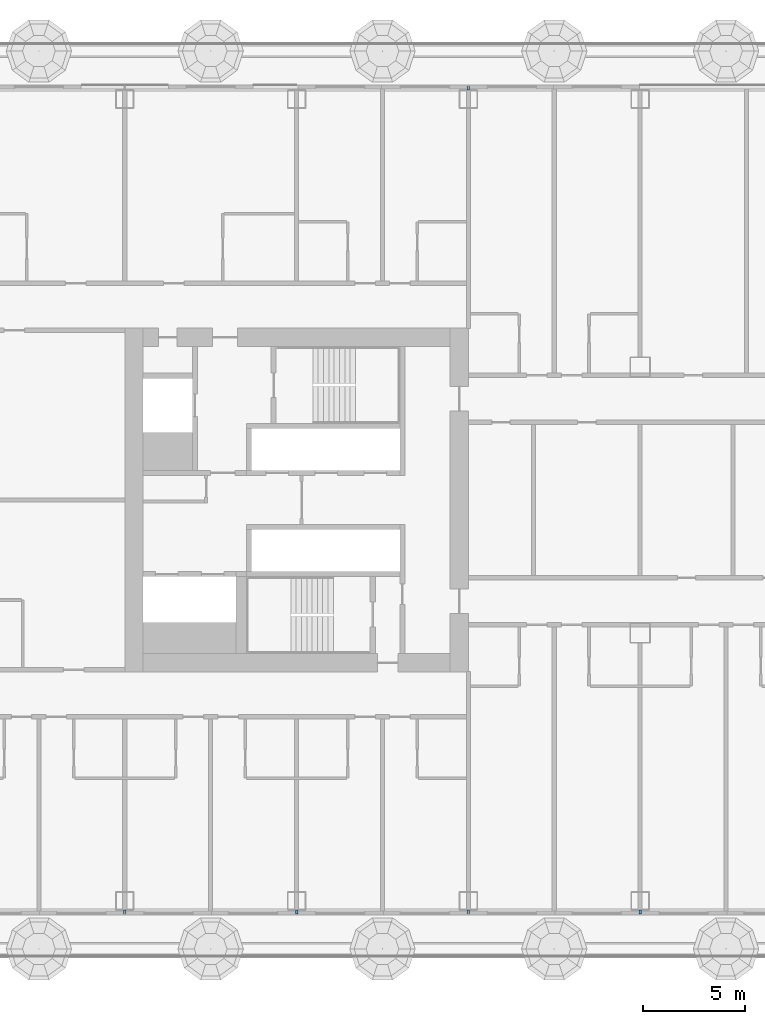
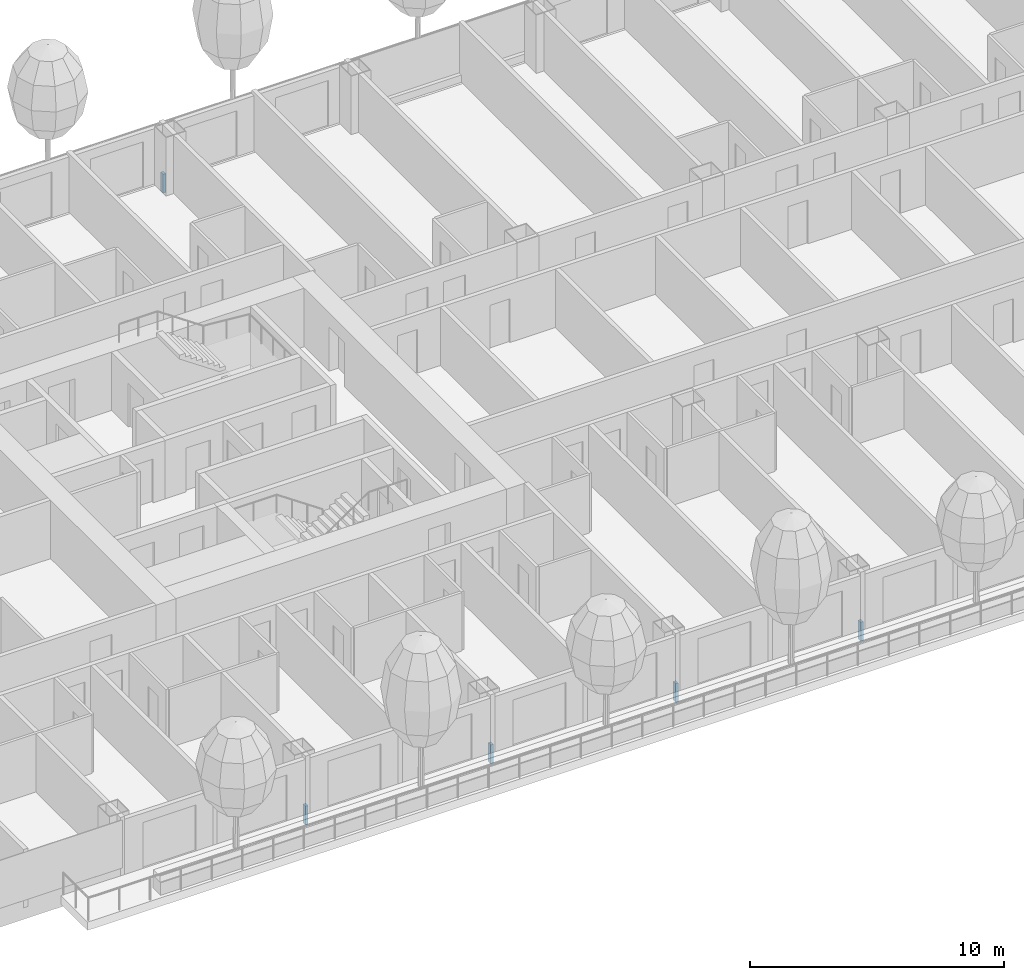
# One storey, part 10 of 37: 5 members, 2 elements without a shape of their own.
"""IFC4 building model written with IfcOpenShell, lengths in metres."""

from ifc_helpers import new_model, si_unit, direction, frame, origin, origin_2d, place, context, subcontext, project, spatial, rectangle, extrude, material, layer, layer_set, material_profile, profile_set, type_object, element, aggregate, save


model = new_model("IFC4")

# Units and contexts
model_context = context("Model", 3, precision=1e-05, world=origin(), true_north=direction((0.0, 1.0)))
body_context = subcontext(model_context, "Body", "Model", "MODEL_VIEW")
ifc_project = project(units=[si_unit("LENGTHUNIT", "METRE"), si_unit("AREAUNIT", "SQUARE_METRE"), si_unit("VOLUMEUNIT", "CUBIC_METRE"), si_unit("PLANEANGLEUNIT", "RADIAN"), si_unit("MASSUNIT", "GRAM", prefix="KILO")], contexts=[model_context])

# Site, building, storey
site_placement = place(None, origin())
site = spatial("IfcSite", under=ifc_project, at=site_placement, CompositionType="ELEMENT")
building_placement = place(site_placement, origin())
building = spatial("IfcBuilding", under=site, at=building_placement, Name="Hakoniwa Tower and Hamabe Station Hall", CompositionType="ELEMENT")
storey_placement = place(building_placement, frame((0.0, 0.0, 39.0)))
storey = spatial("IfcBuildingStorey", under=building, at=storey_placement, Name="L10", CompositionType="ELEMENT", Elevation=39.0)

# Curtain wall, member
ifc_material_1 = material(Name="Dark low-e laminated glass", Category="glass")
ifc_layer = layer(ifc_material_1, 0.199951171875)
ifc_layer_set = layer_set([ifc_layer], Name="CW-1 UNITISED GUEST")
curtain_wall_type = type_object("IfcCurtainWallType", Name="CW-1 UNITISED GUEST", PredefinedType="NOTDEFINED", material=ifc_layer_set)
curtain_wall_1_placement = place(storey_placement, origin())
curtain_wall_1 = element("IfcCurtainWall", 1, at=curtain_wall_1_placement, inside=storey, type_object=curtain_wall_type, Name="CW-1 curtain wall", PredefinedType="NOTDEFINED")
ifc_material_2 = material(Name="Aluminium 6063-T5 black anodised", Category="aluminium")
ifc_material_profile = material_profile(ifc_material_2, rectangle(XDim=0.199951171875, YDim=0.89990234375, at=origin_2d()), Name="CW SLAB-EDGE BAND 900X200")
ifc_profile_set = profile_set([ifc_material_profile], Name="Aluminium 6063-T5 black anodised")
member_type = type_object("IfcMemberType", Name="CW SLAB-EDGE BAND 900X200", PredefinedType="USERDEFINED", material=ifc_profile_set)
member_1_placement = place(storey_placement, frame((-16.739990234375, 20.14990234375, -0.10009765625), z_axis=(-1.0, 0.0, 0.0), x_axis=(0.0, -1.0, 0.0)))
member_1 = element("IfcMember", 2, at=member_1_placement, type_object=member_type, Name="CW-1 transom", ObjectType="TRANSOM", PredefinedType="USERDEFINED", context=body_context, shape_type="SweptSolid", body=[
    extrude(rectangle(XDim=0.199951171875, YDim=0.89990234375, at=origin_2d()), origin(), (0.0, 0.0, 1.0), 0.1201171875),
])
aggregate(curtain_wall_1, [member_1])

# Curtain wall, members
curtain_wall_2_placement = place(storey_placement, origin())
curtain_wall_2 = element("IfcCurtainWall", 3, at=curtain_wall_2_placement, inside=storey, type_object=curtain_wall_type, Name="CW-1 curtain wall", PredefinedType="NOTDEFINED")
member_2_placement = place(storey_placement, frame((-33.659912109375, -20.14990234375, -0.10009765625), z_axis=(1.0, 0.0, 0.0), x_axis=(0.0, 1.0, 0.0)))
member_2 = element("IfcMember", 4, at=member_2_placement, type_object=member_type, Name="CW-1 transom", ObjectType="TRANSOM", PredefinedType="USERDEFINED", context=body_context, shape_type="SweptSolid", body=[
    extrude(rectangle(XDim=0.199951171875, YDim=0.89990234375, at=origin_2d()), origin(), (0.0, 0.0, 1.0), 0.119873046875),
])
member_3_placement = place(storey_placement, frame((-25.260009765625, -20.14990234375, -0.10009765625), z_axis=(1.0, 0.0, 0.0), x_axis=(0.0, 1.0, 0.0)))
member_3 = element("IfcMember", 5, at=member_3_placement, type_object=member_type, Name="CW-1 transom", ObjectType="TRANSOM", PredefinedType="USERDEFINED", context=body_context, shape_type="SweptSolid", body=[
    extrude(rectangle(XDim=0.199951171875, YDim=0.89990234375, at=origin_2d()), origin(), (0.0, 0.0, 1.0), 0.1201171875),
])
member_4_placement = place(storey_placement, frame((-16.860107421875, -20.14990234375, -0.10009765625), z_axis=(1.0, 0.0, 0.0), x_axis=(0.0, 1.0, 0.0)))
member_4 = element("IfcMember", 6, at=member_4_placement, type_object=member_type, Name="CW-1 transom", ObjectType="TRANSOM", PredefinedType="USERDEFINED", context=body_context, shape_type="SweptSolid", body=[
    extrude(rectangle(XDim=0.199951171875, YDim=0.89990234375, at=origin_2d()), origin(), (0.0, 0.0, 1.0), 0.1201171875),
])
member_5_placement = place(storey_placement, frame((-8.4599609375, -20.14990234375, -0.10009765625), z_axis=(1.0, 0.0, 0.0), x_axis=(0.0, 1.0, 0.0)))
member_5 = element("IfcMember", 7, at=member_5_placement, type_object=member_type, Name="CW-1 transom", ObjectType="TRANSOM", PredefinedType="USERDEFINED", context=body_context, shape_type="SweptSolid", body=[
    extrude(rectangle(XDim=0.199951171875, YDim=0.89990234375, at=origin_2d()), origin(), (0.0, 0.0, 1.0), 0.119873046875),
])
aggregate(curtain_wall_2, [member_2, member_3, member_4, member_5])

save(model, "model.ifc")
